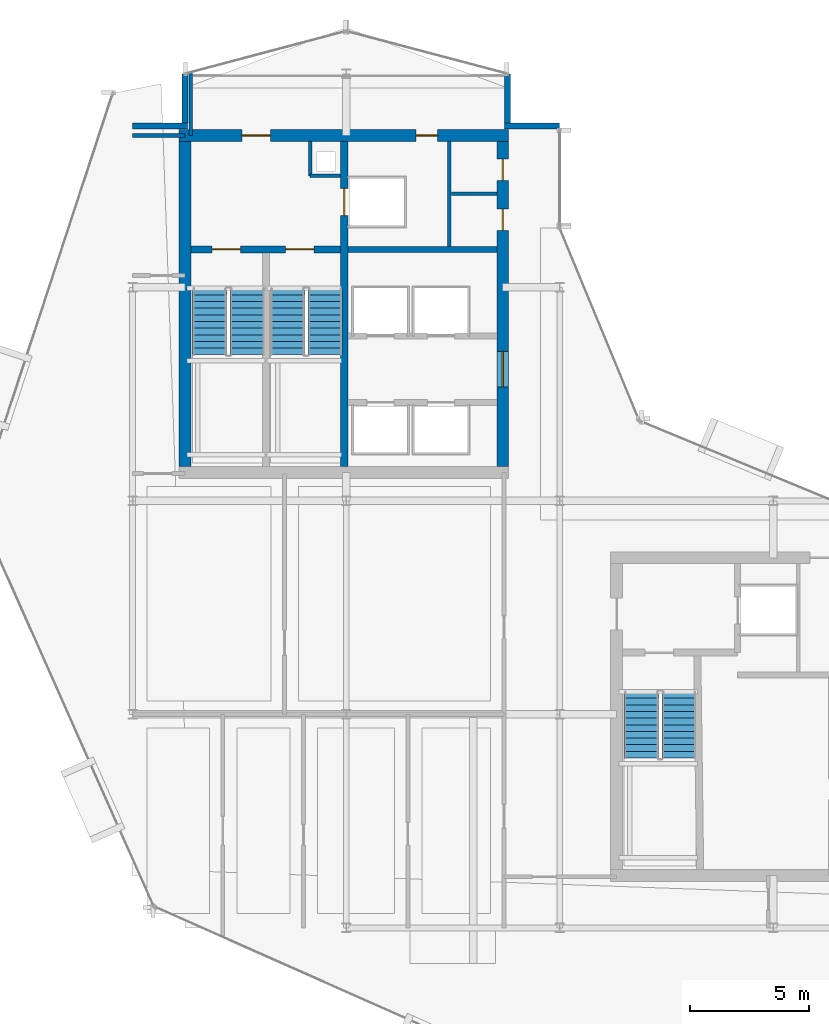
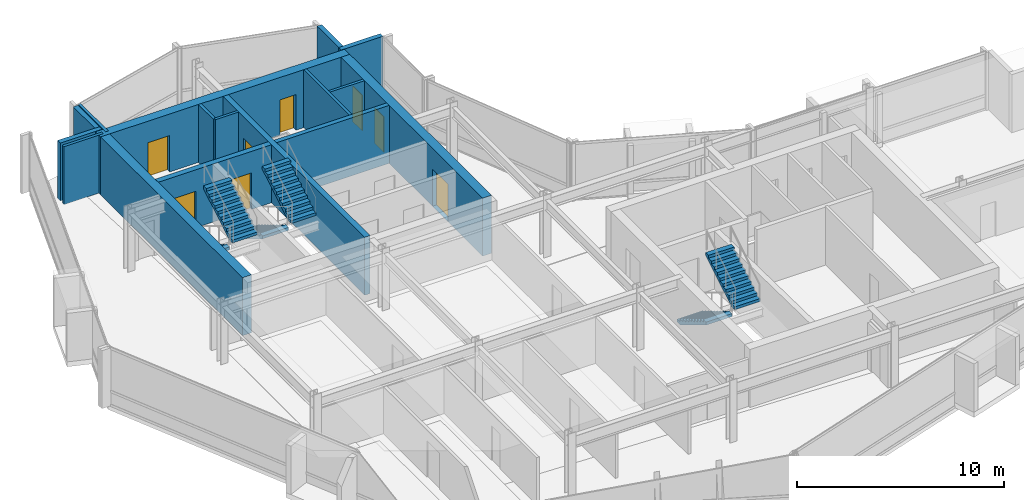
# One storey, part 21 of 27: 16 walls, 8 doors, 6 stair flights, 8 openings, 3 elements without a shape of their own.
"""IFC4 building model written with IfcOpenShell, lengths in metres."""

from ifc_helpers import new_model, si_unit, direction, frame, frame_2d, origin, place, context, subcontext, project, spatial, polyline, rectangle, outline, extrude, material, layer, layer_set, type_object, element, fill, aggregate, save


model = new_model("IFC4")

# Units and contexts
model_context = context("Model", 3, precision=1e-05, world=origin(), true_north=direction((0.0, 1.0)))
body_context = subcontext(model_context, "Body", "Model", "MODEL_VIEW")
ifc_project = project(units=[si_unit("LENGTHUNIT", "METRE"), si_unit("AREAUNIT", "SQUARE_METRE"), si_unit("VOLUMEUNIT", "CUBIC_METRE"), si_unit("PLANEANGLEUNIT", "RADIAN"), si_unit("MASSUNIT", "GRAM", prefix="KILO")], contexts=[model_context])

# Site, building, storey
site_placement = place(None, origin())
site = spatial("IfcSite", under=ifc_project, at=site_placement, CompositionType="ELEMENT")
building_placement = place(site_placement, origin())
building = spatial("IfcBuilding", under=site, at=building_placement, Name="Solvaryn Broadcast Tower", CompositionType="ELEMENT")
storey_placement = place(building_placement, frame((0.0, 0.0, 221.0)))
storey = spatial("IfcBuildingStorey", under=building, at=storey_placement, Name="L55", CompositionType="ELEMENT", Elevation=221.0)

# Wall, openings, doors
ifc_material_1 = material(Name="Concrete f'c 70 MPa", Category="concrete")
ifc_layer_1 = layer(ifc_material_1, 0.5)
ifc_layer_set_1 = layer_set([ifc_layer_1], Name="CW-SHEAR-500")
wall_type_1 = type_object("IfcWallType", Name="CW-SHEAR-500", PredefinedType="SHEAR", material=ifc_layer_set_1)
wall_1_placement = place(storey_placement, frame((24.85009765625, 42.39990234375, 0.0), z_axis=(0.0, 0.0, 1.0), x_axis=(-1.0, 0.0, 0.0)))
wall_1 = element("IfcWall", 1, at=wall_1_placement, inside=storey, type_object=wall_type_1, Name="L55 West Core North Shear Wall", PredefinedType="SHEAR", context=body_context, shape_type="SweptSolid", body=[
    extrude(rectangle(XDim=13.900146484375, YDim=0.5, at=frame_2d((6.9501953125, 0.0))), origin(), (0.0, 0.0, 1.0), 3.419921875),
])
opening_1_placement = place(wall_1_placement, frame((10.050048828125, 0.0, 0.0)))
opening_1 = element("IfcOpeningElement", 2, at=opening_1_placement, cuts=wall_1, Name="Opening FD90A", PredefinedType="OPENING", context=body_context, shape_type="SweptSolid", body=[
    extrude(rectangle(XDim=1.199951171875, YDim=2.14990234375, at=frame_2d((0.60009765625, 1.074951171875))), frame((0.0, 0.260009765625, 0.0), z_axis=(0.0, -1.0, 0.0), x_axis=(1.0, 0.0, 0.0)), (0.0, 0.0, 1.0), 0.52001953125),
])
opening_2_placement = place(wall_1_placement, frame((3.0, 0.0, 0.0)))
opening_2 = element("IfcOpeningElement", 3, at=opening_2_placement, cuts=wall_1, Name="Opening FD60C", PredefinedType="OPENING", context=body_context, shape_type="SweptSolid", body=[
    extrude(rectangle(XDim=0.89990234375, YDim=2.10009765625, at=frame_2d((0.449951171875, 1.050048828125))), frame((0.0, 0.260009765625, 0.0), z_axis=(0.0, -1.0, 0.0), x_axis=(1.0, 0.0, 0.0)), (0.0, 0.0, 1.0), 0.52001953125),
])
ifc_material_2 = material(Name="Flush Acoustic Steel and Timber Door Assembly", Category="steel")
door_type_1 = type_object("IfcDoorType", Name="FD60-SERV-900X2100", OperationType="NOTDEFINED", PredefinedType="DOOR", material=ifc_material_2)
door_1_placement = place(opening_2_placement, origin())
door_1 = element("IfcDoor", 4, at=door_1_placement, inside=storey, type_object=door_type_1, Name="L55 West Core Fiber Riser Door", OperationType="SINGLE_SWING_RIGHT", OverallHeight=2.10009765625, OverallWidth=0.89990234375, PredefinedType="DOOR", context=body_context, shape_type="SweptSolid", body=[
    extrude(rectangle(XDim=0.89990234375, YDim=2.10009765625, at=frame_2d((0.449951171875, 1.050048828125))), frame((0.0, 0.02490234375, 0.0), z_axis=(0.0, -1.0, 0.0), x_axis=(1.0, 0.0, 0.0)), (0.0, 0.0, 1.0), 0.050048828125),
])
fill(opening_2, door_1)
ifc_material_3 = material(Name="Flush Acoustic Steel and Timber Door Assembly", Category="steel")
door_type_2 = type_object("IfcDoorType", Name="FD90-STAIR-1200X2150", OperationType="NOTDEFINED", PredefinedType="DOOR", material=ifc_material_3)
door_2_placement = place(opening_1_placement, origin())
door_2 = element("IfcDoor", 5, at=door_2_placement, inside=storey, type_object=door_type_2, Name="L55 West FSAE Lobby Corridor Door", OperationType="SINGLE_SWING_LEFT", OverallHeight=2.14990234375, OverallWidth=1.199951171875, PredefinedType="DOOR", context=body_context, shape_type="SweptSolid", body=[
    extrude(rectangle(XDim=1.199951171875, YDim=2.14990234375, at=frame_2d((0.60009765625, 1.074951171875))), frame((0.0, 0.02490234375, 0.0), z_axis=(0.0, -1.0, 0.0), x_axis=(1.0, 0.0, 0.0)), (0.0, 0.0, 1.0), 0.050048828125),
])
fill(opening_1, door_2)

# Wall
wall_2_placement = place(storey_placement, frame((11.199951171875, 42.14990234375, 0.0), z_axis=(0.0, 0.0, 1.0), x_axis=(0.0, -1.0, 0.0)))
element("IfcWall", 6, at=wall_2_placement, inside=storey, type_object=wall_type_1, Name="L55 West Core West Shear Wall", PredefinedType="SHEAR", context=body_context, shape_type="SweptSolid", body=[
    extrude(rectangle(XDim=13.699951171875, YDim=0.5, at=frame_2d((6.85009765625, 0.0))), origin(), (0.0, 0.0, 1.0), 3.419921875),
])

# Wall, openings, doors
wall_3_placement = place(storey_placement, frame((24.60009765625, 28.449951171875, 0.0), z_axis=(0.0, 0.0, 1.0), x_axis=(0.0, 1.0, 0.0)))
wall_3 = element("IfcWall", 7, at=wall_3_placement, inside=storey, type_object=wall_type_1, Name="L55 West Core East Shear Wall", PredefinedType="SHEAR", context=body_context, shape_type="SweptSolid", body=[
    extrude(rectangle(XDim=13.699951171875, YDim=0.5, at=frame_2d((6.85009765625, 0.0))), origin(), (0.0, 0.0, 1.0), 3.419921875),
])
opening_3_placement = place(wall_3_placement, frame((3.35009765625, 0.0, 0.0)))
opening_3 = element("IfcOpeningElement", 8, at=opening_3_placement, cuts=wall_3, Name="Opening FD60A", PredefinedType="OPENING", context=body_context, shape_type="SweptSolid", body=[
    extrude(rectangle(XDim=1.5, YDim=2.199951171875, at=frame_2d((0.75, 1.10009765625))), frame((0.0, 0.260009765625, 0.0), z_axis=(0.0, -1.0, 0.0), x_axis=(1.0, 0.0, 0.0)), (0.0, 0.0, 1.0), 0.52001953125),
])
opening_4_placement = place(wall_3_placement, frame((9.949951171875, 0.0, 0.0)))
opening_4 = element("IfcOpeningElement", 9, at=opening_4_placement, cuts=wall_3, Name="Opening FD60C", PredefinedType="OPENING", context=body_context, shape_type="SweptSolid", body=[
    extrude(rectangle(XDim=0.89990234375, YDim=2.10009765625, at=frame_2d((0.449951171875, 1.050048828125))), frame((0.0, 0.260009765625, 0.0), z_axis=(0.0, -1.0, 0.0), x_axis=(1.0, 0.0, 0.0)), (0.0, 0.0, 1.0), 0.52001953125),
])
opening_5_placement = place(wall_3_placement, frame((12.050048828125, 0.0, 0.0)))
opening_5 = element("IfcOpeningElement", 10, at=opening_5_placement, cuts=wall_3, Name="Opening FD60C", PredefinedType="OPENING", context=body_context, shape_type="SweptSolid", body=[
    extrude(rectangle(XDim=0.89990234375, YDim=2.10009765625, at=frame_2d((0.449951171875, 1.050048828125))), frame((0.0, 0.260009765625, 0.0), z_axis=(0.0, -1.0, 0.0), x_axis=(1.0, 0.0, 0.0)), (0.0, 0.0, 1.0), 0.52001953125),
])
ifc_material_4 = material(Name="Flush Acoustic Steel and Timber Door Assembly", Category="steel")
door_type_3 = type_object("IfcDoorType", Name="FD60-CORR-1500X2200", OperationType="NOTDEFINED", PredefinedType="DOOR", material=ifc_material_4)
door_3_placement = place(opening_3_placement, origin())
door_3 = element("IfcDoor", 11, at=door_3_placement, inside=storey, type_object=door_type_3, Name="L55 West Elevator Lobby Corridor Door", OperationType="DOUBLE_DOOR_SINGLE_SWING", OverallHeight=2.199951171875, OverallWidth=1.5, PredefinedType="DOOR", context=body_context, shape_type="SweptSolid", body=[
    extrude(rectangle(XDim=1.5, YDim=2.199951171875, at=frame_2d((0.75, 1.10009765625))), frame((0.0, 0.02490234375, 0.0), z_axis=(0.0, -1.0, 0.0), x_axis=(1.0, 0.0, 0.0)), (0.0, 0.0, 1.0), 0.050048828125),
])
fill(opening_3, door_3)
door_4_placement = place(opening_4_placement, origin())
door_4 = element("IfcDoor", 12, at=door_4_placement, inside=storey, type_object=door_type_1, Name="L55 West Core Service Door 1", OperationType="SINGLE_SWING_LEFT", OverallHeight=2.10009765625, OverallWidth=0.89990234375, PredefinedType="DOOR", context=body_context, shape_type="SweptSolid", body=[
    extrude(rectangle(XDim=0.89990234375, YDim=2.10009765625, at=frame_2d((0.449951171875, 1.050048828125))), frame((0.0, 0.02490234375, 0.0), z_axis=(0.0, -1.0, 0.0), x_axis=(1.0, 0.0, 0.0)), (0.0, 0.0, 1.0), 0.050048828125),
])
fill(opening_4, door_4)
door_5_placement = place(opening_5_placement, origin())
door_5 = element("IfcDoor", 13, at=door_5_placement, inside=storey, type_object=door_type_1, Name="L55 West Core Janitor Door", OperationType="SINGLE_SWING_RIGHT", OverallHeight=2.10009765625, OverallWidth=0.89990234375, PredefinedType="DOOR", context=body_context, shape_type="SweptSolid", body=[
    extrude(rectangle(XDim=0.89990234375, YDim=2.10009765625, at=frame_2d((0.449951171875, 1.050048828125))), frame((0.0, 0.02490234375, 0.0), z_axis=(0.0, -1.0, 0.0), x_axis=(1.0, 0.0, 0.0)), (0.0, 0.0, 1.0), 0.050048828125),
])
fill(opening_5, door_5)

# Walls
ifc_material_5 = material(Name="Concrete f'c 50 MPa", Category="concrete")
ifc_layer_2 = layer(ifc_material_5, 0.260009765625)
ifc_layer_set_2 = layer_set([ifc_layer_2], Name="EW-PIER-260")
wall_type_2 = type_object("IfcWallType", Name="EW-PIER-260", PredefinedType="SOLIDWALL", material=ifc_layer_set_2)
wall_4_placement = place(storey_placement, frame((9.0, 42.800048828125, 0.0), z_axis=(0.0, 0.0, 1.0), x_axis=(1.0, 0.0, 0.0)))
element("IfcWall", 14, at=wall_4_placement, inside=storey, type_object=wall_type_2, Name="L55 Notched Corner Pier Wall NNW1", PredefinedType="SOLIDWALL", context=body_context, shape_type="SweptSolid", body=[
    extrude(rectangle(XDim=2.320068359375, YDim=0.260009765625, at=frame_2d((1.16015625, 0.0))), origin(), (0.0, 0.0, 1.0), 3.419921875),
])
for number, where, z_axis, x_axis, name in (
    (15, (11.199951171875, 42.919921875, 0.0), (0.0, 0.0, 1.0), (0.0, 1.0, 0.0), "L55 Notched Corner Pier Wall NNW2"),
    (16, (24.800048828125, 45.0, 0.0), (0.0, 0.0, 1.0), (0.0, -1.0, 0.0), "L55 Notched Corner Pier Wall NNE1"),
):
    element("IfcWall", number, at=place(storey_placement, frame(where, z_axis=z_axis, x_axis=x_axis)), inside=storey, type_object=wall_type_2, Name=name, PredefinedType="SOLIDWALL", context=body_context, shape_type="SweptSolid", body=[
        extrude(rectangle(XDim=2.080078125, YDim=0.260009765625, at=frame_2d((1.0400390625, 0.0))), origin(), (0.0, 0.0, 1.0), 3.419921875),
    ])
wall_5_placement = place(storey_placement, frame((24.679931640625, 42.800048828125, 0.0), z_axis=(0.0, 0.0, 1.0), x_axis=(1.0, 0.0, 0.0)))
element("IfcWall", 17, at=wall_5_placement, inside=storey, type_object=wall_type_2, Name="L55 Notched Corner Pier Wall NNE2", PredefinedType="SOLIDWALL", context=body_context, shape_type="SweptSolid", body=[
    extrude(rectangle(XDim=2.320068359375, YDim=0.260009765625, at=frame_2d((1.16015625, 0.0))), origin(), (0.0, 0.0, 1.0), 3.419921875),
])
ifc_material_6 = material(Name="Metal-Stud Service Core Partition")
ifc_layer_3 = layer(ifc_material_6, 0.14990234375)
ifc_layer_set_3 = layer_set([ifc_layer_3], Name="IW-PART-150")
wall_type_3 = type_object("IfcWallType", Name="IW-PART-150", PredefinedType="PARTITIONING", material=ifc_layer_set_3)
wall_6_placement = place(storey_placement, frame((16.47998046875, 40.699951171875, 0.0), z_axis=(0.0, 0.0, 1.0), x_axis=(1.0, 0.0, 0.0)))
element("IfcWall", 18, at=wall_6_placement, inside=storey, type_object=wall_type_3, Name="L55 West Core Riser Shaft South Wall", PredefinedType="PARTITIONING", context=body_context, shape_type="SweptSolid", body=[
    extrude(rectangle(XDim=1.2900390625, YDim=0.14990234375, at=frame_2d((0.64501953125, 0.0))), origin(), (0.0, 0.0, 1.0), 3.419921875),
])
wall_7_placement = place(storey_placement, frame((16.47998046875, 40.699951171875, 0.0), z_axis=(0.0, 0.0, 1.0), x_axis=(0.0, 1.0, 0.0)))
element("IfcWall", 19, at=wall_7_placement, inside=storey, type_object=wall_type_3, Name="L55 West Core Riser Shaft West Wall", PredefinedType="PARTITIONING", context=body_context, shape_type="SweptSolid", body=[
    extrude(rectangle(XDim=1.449951171875, YDim=0.14990234375, at=frame_2d((0.72509765625, 0.0))), origin(), (0.0, 0.0, 1.0), 3.419921875),
])
wall_8_placement = place(storey_placement, frame((22.35009765625, 37.72998046875, 0.0), z_axis=(0.0, 0.0, 1.0), x_axis=(0.0, 1.0, 0.0)))
element("IfcWall", 20, at=wall_8_placement, inside=storey, type_object=wall_type_3, Name="L55 Interior Partition IW-L55-CWS-V", PredefinedType="PARTITIONING", context=body_context, shape_type="SweptSolid", body=[
    extrude(rectangle(XDim=4.419921875, YDim=0.14990234375, at=frame_2d((2.2099609375, 0.0))), origin(), (0.0, 0.0, 1.0), 3.419921875),
])
wall_9_placement = place(storey_placement, frame((22.429931640625, 39.949951171875, 0.0), z_axis=(0.0, 0.0, 1.0), x_axis=(1.0, 0.0, 0.0)))
element("IfcWall", 21, at=wall_9_placement, inside=storey, type_object=wall_type_3, Name="L55 Interior Partition IW-L55-CWS-H", PredefinedType="PARTITIONING", context=body_context, shape_type="SweptSolid", body=[
    extrude(rectangle(XDim=1.920166015625, YDim=0.14990234375, at=frame_2d((0.9599609375, 0.0))), origin(), (0.0, 0.0, 1.0), 3.419921875),
])
ifc_material_7 = material(Name="Metal-Stud Gypsum Office Partition")
ifc_layer_4 = layer(ifc_material_7, 0.159912109375)
ifc_layer_set_4 = layer_set([ifc_layer_4], Name="IW-PART-160")
wall_type_4 = type_object("IfcWallType", Name="IW-PART-160", PredefinedType="PARTITIONING", material=ifc_layer_set_4)
wall_10_placement = place(storey_placement, frame((9.0, 42.39990234375, 0.0), z_axis=(0.0, 0.0, 1.0), x_axis=(1.0, 0.0, 0.0)))
element("IfcWall", 22, at=wall_10_placement, inside=storey, type_object=wall_type_4, Name="L55 Interior Partition IW-L55-WM-N", PredefinedType="PARTITIONING", context=body_context, shape_type="SweptSolid", body=[
    extrude(rectangle(XDim=2.199951171875, YDim=0.159912109375, at=frame_2d((1.10009765625, 0.0))), origin(), (0.0, 0.0, 1.0), 3.419921875),
])
wall_11_placement = place(storey_placement, frame((11.449951171875, 42.39990234375, 0.0), z_axis=(0.0, 0.0, 1.0), x_axis=(0.0, 1.0, 0.0)))
element("IfcWall", 23, at=wall_11_placement, inside=storey, type_object=wall_type_4, Name="L55 Interior Partition IW-L55-WM-E", PredefinedType="PARTITIONING", context=body_context, shape_type="SweptSolid", body=[
    extrude(rectangle(XDim=2.666015625, YDim=0.159912109375, at=frame_2d((1.3330078125, 0.0))), origin(), (0.0, 0.0, 1.0), 3.419921875),
])
ifc_material_8 = material(Name="Concrete f'c 60 MPa", Category="concrete")
ifc_layer_5 = layer(ifc_material_8, 0.25)
ifc_layer_set_5 = layer_set([ifc_layer_5], Name="SW-SHAFT-250")
wall_type_5 = type_object("IfcWallType", Name="SW-SHAFT-250", PredefinedType="PARTITIONING", material=ifc_layer_set_5)
wall_12_placement = place(storey_placement, frame((18.070068359375, 37.60009765625, 0.0), z_axis=(0.0, 0.0, 1.0), x_axis=(1.0, 0.0, 0.0)))
element("IfcWall", 24, at=wall_12_placement, inside=storey, type_object=wall_type_5, Name="L55 West Core FSAE Hoistway Front Wall", PredefinedType="PARTITIONING", context=body_context, shape_type="SweptSolid", body=[
    extrude(rectangle(XDim=6.280029296875, YDim=0.25, at=frame_2d((3.14013671875, 0.0))), origin(), (0.0, 0.0, 1.0), 3.419921875),
])

# Wall, opening, door
ifc_material_9 = material(Name="Concrete f'c 70 MPa", Category="concrete")
ifc_layer_6 = layer(ifc_material_9, 0.300048828125)
ifc_layer_set_6 = layer_set([ifc_layer_6], Name="SW-SHAFT-300")
wall_type_6 = type_object("IfcWallType", Name="SW-SHAFT-300", PredefinedType="SHEAR", material=ifc_layer_set_6)
wall_13_placement = place(storey_placement, frame((17.919921875, 42.14990234375, 0.0), z_axis=(0.0, 0.0, 1.0), x_axis=(0.0, -1.0, 0.0)))
wall_13 = element("IfcWall", 25, at=wall_13_placement, inside=storey, type_object=wall_type_6, Name="L55 West Core Stair-Lobby Shear Wall", PredefinedType="SHEAR", context=body_context, shape_type="SweptSolid", body=[
    extrude(rectangle(XDim=13.699951171875, YDim=0.300048828125, at=frame_2d((6.85009765625, 0.0))), origin(), (0.0, 0.0, 1.0), 3.419921875),
])
opening_6_placement = place(wall_13_placement, frame((1.97509765625, 0.0, 0.0)))
opening_6 = element("IfcOpeningElement", 26, at=opening_6_placement, cuts=wall_13, Name="Opening LD01", PredefinedType="OPENING", context=body_context, shape_type="SweptSolid", body=[
    extrude(rectangle(XDim=1.14990234375, YDim=2.14990234375, at=frame_2d((0.574951171875, 1.074951171875))), frame((0.0, 0.159912109375, 0.0), z_axis=(0.0, -1.0, 0.0), x_axis=(1.0, 0.0, 0.0)), (0.0, 0.0, 1.0), 0.320068359375),
])
ifc_material_10 = material(Name="Flush Acoustic Steel and Timber Door Assembly", Category="steel")
door_type_4 = type_object("IfcDoorType", Name="LD-LIFT-1150X2150", OperationType="NOTDEFINED", PredefinedType="DOOR", material=ifc_material_10)
door_6_placement = place(opening_6_placement, origin())
door_6 = element("IfcDoor", 27, at=door_6_placement, inside=storey, type_object=door_type_4, Name="L55 FL1 Lift Landing Door", OperationType="DOUBLE_DOOR_SLIDING", OverallHeight=2.14990234375, OverallWidth=1.14990234375, PredefinedType="DOOR", context=body_context, shape_type="SweptSolid", body=[
    extrude(rectangle(XDim=1.14990234375, YDim=2.14990234375, at=frame_2d((0.574951171875, 1.074951171875))), frame((0.0, 0.02490234375, 0.0), z_axis=(0.0, -1.0, 0.0), x_axis=(1.0, 0.0, 0.0)), (0.0, 0.0, 1.0), 0.050048828125),
])
fill(opening_6, door_6)

# Wall, openings, doors
wall_14_placement = place(storey_placement, frame((17.77001953125, 37.60009765625, 0.0), z_axis=(0.0, 0.0, 1.0), x_axis=(-1.0, 0.0, 0.0)))
wall_14 = element("IfcWall", 28, at=wall_14_placement, inside=storey, type_object=wall_type_6, Name="L55 West Core FSAE Lobby South Wall", PredefinedType="SHEAR", context=body_context, shape_type="SweptSolid", body=[
    extrude(rectangle(XDim=6.320068359375, YDim=0.300048828125, at=frame_2d((3.16015625, 0.0))), origin(), (0.0, 0.0, 1.0), 3.419921875),
])
opening_7_placement = place(wall_14_placement, frame((4.219970703125, 0.0, 0.0)))
opening_7 = element("IfcOpeningElement", 29, at=opening_7_placement, cuts=wall_14, Name="Opening FD90A", PredefinedType="OPENING", context=body_context, shape_type="SweptSolid", body=[
    extrude(rectangle(XDim=1.199951171875, YDim=2.14990234375, at=frame_2d((0.60009765625, 1.074951171875))), frame((0.0, 0.159912109375, 0.0), z_axis=(0.0, -1.0, 0.0), x_axis=(1.0, 0.0, 0.0)), (0.0, 0.0, 1.0), 0.320068359375),
])
opening_8_placement = place(wall_14_placement, frame((1.1201171875, 0.0, 0.0)))
opening_8 = element("IfcOpeningElement", 30, at=opening_8_placement, cuts=wall_14, Name="Opening FD90A", PredefinedType="OPENING", context=body_context, shape_type="SweptSolid", body=[
    extrude(rectangle(XDim=1.199951171875, YDim=2.14990234375, at=frame_2d((0.60009765625, 1.074951171875))), frame((0.0, 0.159912109375, 0.0), z_axis=(0.0, -1.0, 0.0), x_axis=(1.0, 0.0, 0.0)), (0.0, 0.0, 1.0), 0.320068359375),
])
door_7_placement = place(opening_7_placement, origin())
door_7 = element("IfcDoor", 31, at=door_7_placement, inside=storey, type_object=door_type_2, Name="L55 Stair 1 Fire Door", OperationType="SINGLE_SWING_LEFT", OverallHeight=2.14990234375, OverallWidth=1.199951171875, PredefinedType="DOOR", context=body_context, shape_type="SweptSolid", body=[
    extrude(rectangle(XDim=1.199951171875, YDim=2.14990234375, at=frame_2d((0.60009765625, 1.074951171875))), frame((0.0, 0.02490234375, 0.0), z_axis=(0.0, -1.0, 0.0), x_axis=(1.0, 0.0, 0.0)), (0.0, 0.0, 1.0), 0.050048828125),
])
fill(opening_7, door_7)
door_8_placement = place(opening_8_placement, origin())
door_8 = element("IfcDoor", 32, at=door_8_placement, inside=storey, type_object=door_type_2, Name="L55 Stair 2 Fire Door", OperationType="SINGLE_SWING_RIGHT", OverallHeight=2.14990234375, OverallWidth=1.199951171875, PredefinedType="DOOR", context=body_context, shape_type="SweptSolid", body=[
    extrude(rectangle(XDim=1.199951171875, YDim=2.14990234375, at=frame_2d((0.60009765625, 1.074951171875))), frame((0.0, 0.02490234375, 0.0), z_axis=(0.0, -1.0, 0.0), x_axis=(1.0, 0.0, 0.0)), (0.0, 0.0, 1.0), 0.050048828125),
])
fill(opening_8, door_8)

# Stair, stair flights
ifc_material_11 = material(Name="Concrete f'c 60 MPa", Category="concrete")
stair_type = type_object("IfcStairType", Name="ST-CORE", PredefinedType="HALF_TURN_STAIR", material=ifc_material_11)
stair_1_placement = place(storey_placement, origin())
stair_1 = element("IfcStair", 33, at=stair_1_placement, inside=storey, type_object=stair_type, Name="L55 ST1", PredefinedType="HALF_TURN_STAIR")
ifc_material_12 = material(Name="Concrete f'c 60 MPa", Category="concrete")
ifc_layer_7 = layer(ifc_material_12, 0.159912109375)
ifc_layer_set_7 = layer_set([ifc_layer_7], Name="SF-CORE")
stair_flight_type = type_object("IfcStairFlightType", Name="SF-CORE", PredefinedType="STRAIGHT", material=ifc_layer_set_7)
stair_flight_1_placement = place(storey_placement, frame((12.239990234375, 35.9599609375, 0.0), z_axis=(0.0, 0.0, 1.0), x_axis=(0.0, -1.0, 0.0)))
stair_flight_1 = element("IfcStairFlight", 34, at=stair_flight_1_placement, type_object=stair_flight_type, Name="ST1 flight 1", NumberOfRisers=11, NumberOfTreads=10, PredefinedType="STRAIGHT", RiserHeight=0.168181818, TreadLength=0.28, context=body_context, shape_type="SweptSolid", body=[
    extrude(outline(polyline([(0.0, 0.0), (0.0, 0.168212890625), (0.280029296875, 0.168212890625), (0.280029296875, 0.33642578125), (0.56005859375, 0.33642578125), (0.56005859375, 0.504638671875), (0.840087890625, 0.504638671875), (0.840087890625, 0.672607421875), (1.1201171875, 0.672607421875), (1.1201171875, 0.8408203125), (1.39990234375, 0.8408203125), (1.39990234375, 1.009033203125), (1.679931640625, 1.009033203125), (1.679931640625, 1.17724609375), (1.9599609375, 1.17724609375), (1.9599609375, 1.345458984375), (2.239990234375, 1.345458984375), (2.239990234375, 1.513671875), (2.52001953125, 1.513671875), (2.52001953125, 1.681884765625), (2.800048828125, 1.681884765625), (2.800048828125, 1.85009765625), (2.800048828125, 1.5068359375), (0.291015625, 0.0), (0.0, 0.0)])), frame((0.0, 0.719970703125, 0.0), z_axis=(0.0, -1.0, 0.0), x_axis=(1.0, 0.0, 0.0)), (0.0, 0.0, 1.0), 1.43994140625),
])
stair_flight_2_placement = place(storey_placement, frame((13.830078125, 33.159912109375, 1.85009765625), z_axis=(0.0, 0.0, 1.0), x_axis=(0.0, 1.0, 0.0)))
stair_flight_2 = element("IfcStairFlight", 35, at=stair_flight_2_placement, type_object=stair_flight_type, Name="ST1 flight 2", NumberOfRisers=11, NumberOfTreads=10, PredefinedType="STRAIGHT", RiserHeight=0.168181818, TreadLength=0.28, context=body_context, shape_type="SweptSolid", body=[
    extrude(outline(polyline([(0.0, 0.0), (0.0, 0.168212890625), (0.280029296875, 0.168212890625), (0.280029296875, 0.33642578125), (0.56005859375, 0.33642578125), (0.56005859375, 0.504638671875), (0.840087890625, 0.504638671875), (0.840087890625, 0.672607421875), (1.1201171875, 0.672607421875), (1.1201171875, 0.8408203125), (1.39990234375, 0.8408203125), (1.39990234375, 1.009033203125), (1.679931640625, 1.009033203125), (1.679931640625, 1.17724609375), (1.9599609375, 1.17724609375), (1.9599609375, 1.345458984375), (2.239990234375, 1.345458984375), (2.239990234375, 1.513671875), (2.52001953125, 1.513671875), (2.52001953125, 1.681884765625), (2.800048828125, 1.681884765625), (2.800048828125, 1.85009765625), (2.800048828125, 1.5068359375), (0.291015625, 0.0), (0.0, 0.0)])), frame((0.0, 0.719970703125, 0.0), z_axis=(0.0, -1.0, 0.0), x_axis=(1.0, 0.0, 0.0)), (0.0, 0.0, 1.0), 1.43994140625),
])
aggregate(stair_1, [stair_flight_1, stair_flight_2])

stair_2_placement = place(storey_placement, origin())
stair_2 = element("IfcStair", 36, at=stair_2_placement, inside=storey, type_object=stair_type, Name="L55 ST2", PredefinedType="HALF_TURN_STAIR")
stair_flight_3_placement = place(storey_placement, frame((15.52001953125, 35.9599609375, 0.0), z_axis=(0.0, 0.0, 1.0), x_axis=(0.0, -1.0, 0.0)))
stair_flight_3 = element("IfcStairFlight", 37, at=stair_flight_3_placement, type_object=stair_flight_type, Name="ST2 flight 1", NumberOfRisers=11, NumberOfTreads=10, PredefinedType="STRAIGHT", RiserHeight=0.168181818, TreadLength=0.28, context=body_context, shape_type="SweptSolid", body=[
    extrude(outline(polyline([(0.0, 0.0), (0.0, 0.168212890625), (0.280029296875, 0.168212890625), (0.280029296875, 0.33642578125), (0.56005859375, 0.33642578125), (0.56005859375, 0.504638671875), (0.840087890625, 0.504638671875), (0.840087890625, 0.672607421875), (1.1201171875, 0.672607421875), (1.1201171875, 0.8408203125), (1.39990234375, 0.8408203125), (1.39990234375, 1.009033203125), (1.679931640625, 1.009033203125), (1.679931640625, 1.17724609375), (1.9599609375, 1.17724609375), (1.9599609375, 1.345458984375), (2.239990234375, 1.345458984375), (2.239990234375, 1.513671875), (2.52001953125, 1.513671875), (2.52001953125, 1.681884765625), (2.800048828125, 1.681884765625), (2.800048828125, 1.85009765625), (2.800048828125, 1.5068359375), (0.291015625, 0.0), (0.0, 0.0)])), frame((0.0, 0.719970703125, 0.0), z_axis=(0.0, -1.0, 0.0), x_axis=(1.0, 0.0, 0.0)), (0.0, 0.0, 1.0), 1.43994140625),
])
stair_flight_4_placement = place(storey_placement, frame((17.110107421875, 33.159912109375, 1.85009765625), z_axis=(0.0, 0.0, 1.0), x_axis=(0.0, 1.0, 0.0)))
stair_flight_4 = element("IfcStairFlight", 38, at=stair_flight_4_placement, type_object=stair_flight_type, Name="ST2 flight 2", NumberOfRisers=11, NumberOfTreads=10, PredefinedType="STRAIGHT", RiserHeight=0.168181818, TreadLength=0.28, context=body_context, shape_type="SweptSolid", body=[
    extrude(outline(polyline([(0.0, 0.0), (0.0, 0.168212890625), (0.280029296875, 0.168212890625), (0.280029296875, 0.33642578125), (0.56005859375, 0.33642578125), (0.56005859375, 0.504638671875), (0.840087890625, 0.504638671875), (0.840087890625, 0.672607421875), (1.1201171875, 0.672607421875), (1.1201171875, 0.8408203125), (1.39990234375, 0.8408203125), (1.39990234375, 1.009033203125), (1.679931640625, 1.009033203125), (1.679931640625, 1.17724609375), (1.9599609375, 1.17724609375), (1.9599609375, 1.345458984375), (2.239990234375, 1.345458984375), (2.239990234375, 1.513671875), (2.52001953125, 1.513671875), (2.52001953125, 1.681884765625), (2.800048828125, 1.681884765625), (2.800048828125, 1.85009765625), (2.800048828125, 1.5068359375), (0.291015625, 0.0), (0.0, 0.0)])), frame((0.0, 0.719970703125, 0.0), z_axis=(0.0, -1.0, 0.0), x_axis=(1.0, 0.0, 0.0)), (0.0, 0.0, 1.0), 1.43994140625),
])
aggregate(stair_2, [stair_flight_3, stair_flight_4])

stair_3_placement = place(storey_placement, origin())
stair_3 = element("IfcStair", 39, at=stair_3_placement, inside=storey, type_object=stair_type, Name="L55 ST3", PredefinedType="HALF_TURN_STAIR")
stair_flight_5_placement = place(storey_placement, frame((30.43994140625, 18.9599609375, 0.0), z_axis=(0.0, 0.0, 1.0), x_axis=(0.0, -1.0, 0.0)))
stair_flight_5 = element("IfcStairFlight", 40, at=stair_flight_5_placement, type_object=stair_flight_type, Name="ST3 flight 1", NumberOfRisers=11, NumberOfTreads=10, PredefinedType="STRAIGHT", RiserHeight=0.168181818, TreadLength=0.28, context=body_context, shape_type="SweptSolid", body=[
    extrude(outline(polyline([(0.0, 0.0), (0.0, 0.168212890625), (0.280029296875, 0.168212890625), (0.280029296875, 0.33642578125), (0.56005859375, 0.33642578125), (0.56005859375, 0.504638671875), (0.840087890625, 0.504638671875), (0.840087890625, 0.672607421875), (1.1201171875, 0.672607421875), (1.1201171875, 0.8408203125), (1.39990234375, 0.8408203125), (1.39990234375, 1.009033203125), (1.679931640625, 1.009033203125), (1.679931640625, 1.17724609375), (1.9599609375, 1.17724609375), (1.9599609375, 1.345458984375), (2.239990234375, 1.345458984375), (2.239990234375, 1.513671875), (2.52001953125, 1.513671875), (2.52001953125, 1.681884765625), (2.800048828125, 1.681884765625), (2.800048828125, 1.85009765625), (2.800048828125, 1.5068359375), (0.291015625, 0.0), (0.0, 0.0)])), frame((0.0, 0.719970703125, 0.0), z_axis=(0.0, -1.0, 0.0), x_axis=(1.0, 0.0, 0.0)), (0.0, 0.0, 1.0), 1.43994140625),
])
stair_flight_6_placement = place(storey_placement, frame((32.030029296875, 16.159912109375, 1.85009765625), z_axis=(0.0, 0.0, 1.0), x_axis=(0.0, 1.0, 0.0)))
stair_flight_6 = element("IfcStairFlight", 41, at=stair_flight_6_placement, type_object=stair_flight_type, Name="ST3 flight 2", NumberOfRisers=11, NumberOfTreads=10, PredefinedType="STRAIGHT", RiserHeight=0.168181818, TreadLength=0.28, context=body_context, shape_type="SweptSolid", body=[
    extrude(outline(polyline([(0.0, 0.0), (0.0, 0.168212890625), (0.280029296875, 0.168212890625), (0.280029296875, 0.33642578125), (0.56005859375, 0.33642578125), (0.56005859375, 0.504638671875), (0.840087890625, 0.504638671875), (0.840087890625, 0.672607421875), (1.1201171875, 0.672607421875), (1.1201171875, 0.8408203125), (1.39990234375, 0.8408203125), (1.39990234375, 1.009033203125), (1.679931640625, 1.009033203125), (1.679931640625, 1.17724609375), (1.9599609375, 1.17724609375), (1.9599609375, 1.345458984375), (2.239990234375, 1.345458984375), (2.239990234375, 1.513671875), (2.52001953125, 1.513671875), (2.52001953125, 1.681884765625), (2.800048828125, 1.681884765625), (2.800048828125, 1.85009765625), (2.800048828125, 1.5068359375), (0.291015625, 0.0), (0.0, 0.0)])), frame((0.0, 0.719970703125, 0.0), z_axis=(0.0, -1.0, 0.0), x_axis=(1.0, 0.0, 0.0)), (0.0, 0.0, 1.0), 1.43994140625),
])
aggregate(stair_3, [stair_flight_5, stair_flight_6])

save(model, "model.ifc")
